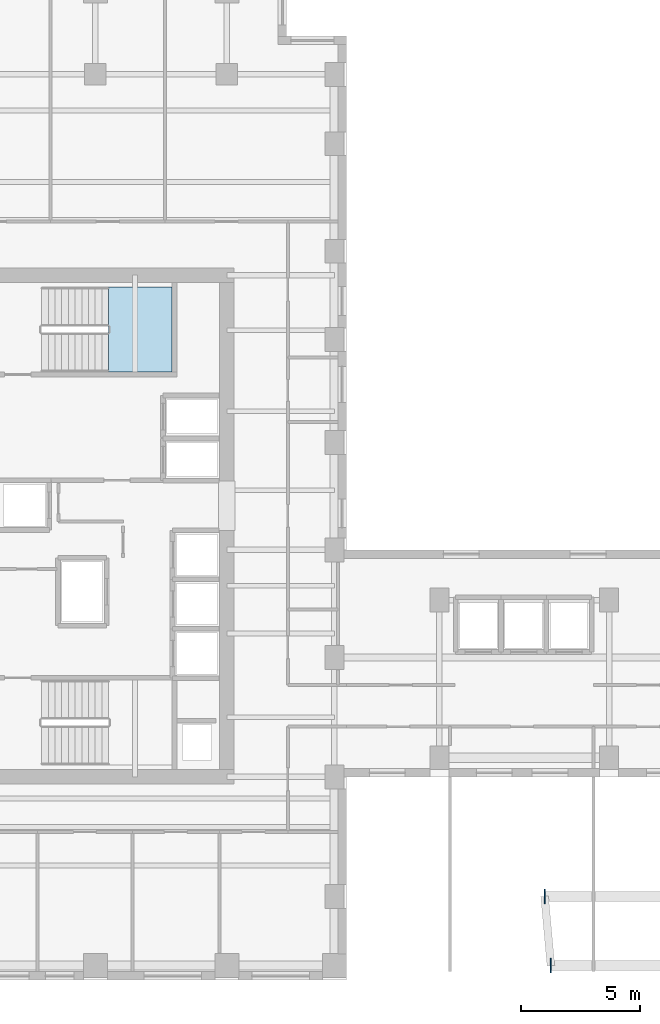
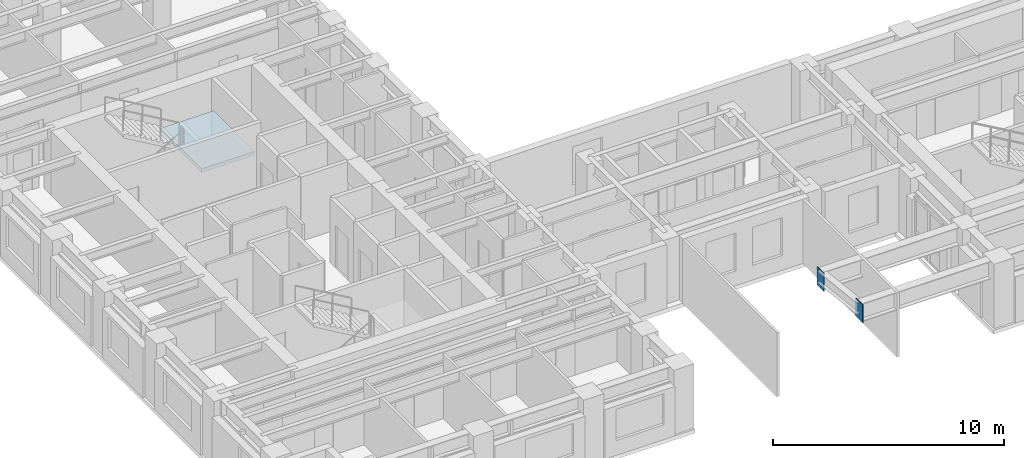
# One storey, part 4 of 13: 2 plates, 1 slab, 1 element without a shape of its own.
"""IFC4 building model written with IfcOpenShell, lengths in metres."""

from ifc_helpers import new_model, si_unit, direction, frame, origin, origin_2d, place, context, subcontext, project, spatial, polyline, rectangle, outline, extrude, source, transform, mapped, material, layer, layer_set, type_object, element, aggregate, save


model = new_model("IFC4")

# Units and contexts
model_context = context("Model", 3, precision=1e-05, world=origin(), true_north=direction((0.0, 1.0)))
body_context = subcontext(model_context, "Body", "Model", "MODEL_VIEW")
ifc_project = project(units=[si_unit("LENGTHUNIT", "METRE"), si_unit("AREAUNIT", "SQUARE_METRE"), si_unit("VOLUMEUNIT", "CUBIC_METRE"), si_unit("PLANEANGLEUNIT", "RADIAN"), si_unit("MASSUNIT", "GRAM", prefix="KILO")], contexts=[model_context])

# Site, building, storey
site_placement = place(None, origin())
site = spatial("IfcSite", under=ifc_project, at=site_placement, CompositionType="ELEMENT")
building_placement = place(site_placement, origin())
building = spatial("IfcBuilding", under=site, at=building_placement, Name="Kharzan Plaza Tower", CompositionType="ELEMENT")
storey_placement = place(building_placement, frame((0.0, 0.0, 175.5)))
storey = spatial("IfcBuildingStorey", under=building, at=storey_placement, Name="L47", CompositionType="ELEMENT", Elevation=175.5)

# Stair, slab
ifc_material_1 = material(Name="Concrete C40/50", Category="concrete")
stair_type = type_object("IfcStairType", Name="STR-ST-2", PredefinedType="HALF_TURN_STAIR", material=ifc_material_1)
stair_placement = place(storey_placement, origin())
stair = element("IfcStair", 1, at=stair_placement, inside=storey, type_object=stair_type, Name="L47 Protected Exit Stair ST-2", PredefinedType="HALF_TURN_STAIR")
ifc_layer_1 = layer(ifc_material_1, 0.219970703125)
ifc_layer_set_1 = layer_set([ifc_layer_1], Name="Concrete C40/50")
slab_type = type_object("IfcSlabType", Name="SL-LANDING-220", PredefinedType="LANDING", material=ifc_layer_set_1)
slab_placement = place(storey_placement, frame((0.0, 0.0, 1.60009765625)))
slab = element("IfcSlab", 2, at=slab_placement, type_object=slab_type, Name="ST-2 landing 1", PredefinedType="LANDING", context=body_context, shape_type="SweptSolid", body=[
    extrude(outline(polyline([(9.550048828125, 25.449951171875), (12.199951171875, 25.449951171875), (12.199951171875, 29.0), (9.550048828125, 29.0), (9.550048828125, 25.449951171875)])), origin(), (0.0, 0.0, 1.0), 0.199951171875),
])
aggregate(stair, [slab])

# Plates
ifc_material_2 = material(Name="Steel S460", Category="steel")
ifc_layer_2 = layer(ifc_material_2, 0.0419921875)
ifc_layer_set_2 = layer_set([ifc_layer_2], Name="Steel S460")
plate_type = type_object("IfcPlateType", Name="PLT-ZTN1", PredefinedType="USERDEFINED", material=ifc_layer_set_2)
shared_shape = source(origin(), body_context, "Body", "SweptSolid", [
    extrude(rectangle(XDim=0.60009765625, YDim=0.0419921875, at=origin_2d()), origin(), (0.0, 0.0, 1.0), 0.949951171875),
])
for number, where, z_axis, x_axis, name in (
    (3, (28.06396484375, 0.60009765625, 2.44140625), (0.0, 0.0, 1.0), (0.0, 1.0, 0.0), "L47 Sky-Terrace Cantilever Tip Plate ZTN1"),
    (4, (27.800048828125, 3.5, 2.44140625), (0.0, 0.0, 1.0), (0.0, 1.0, 0.0), "L47 Sky-Terrace Cantilever Tip Plate ZTN1"),
):
    element("IfcPlate", number, at=place(storey_placement, frame(where, z_axis=z_axis, x_axis=x_axis)), inside=storey, type_object=plate_type, Name=name, ObjectType="FLANGE_PLATE", PredefinedType="USERDEFINED", context=body_context, shape_type="MappedRepresentation", body=[
        mapped(shared_shape, transform((0.0, 0.0, 0.0), x_axis=(1.0, 0.0, 0.0), y_axis=(0.0, 1.0, 0.0), z_axis=(0.0, 0.0, 1.0))),
    ])

save(model, "model.ifc")
